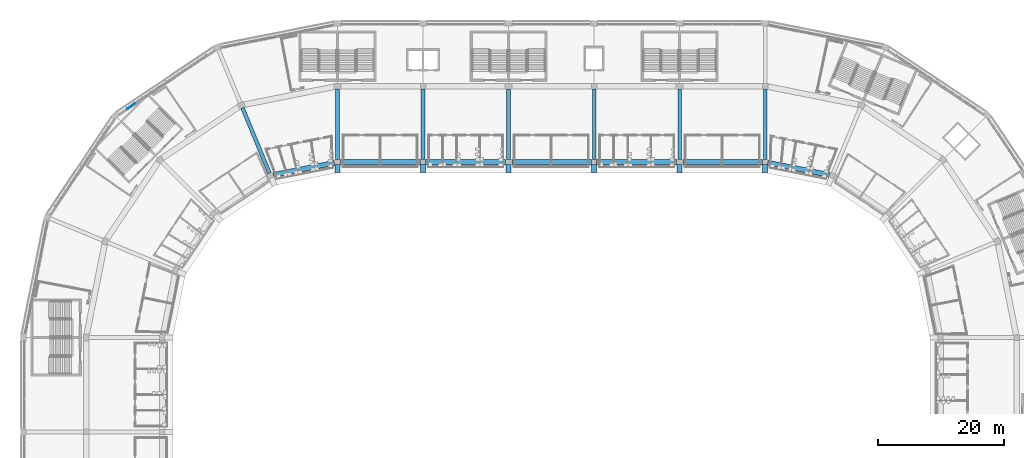
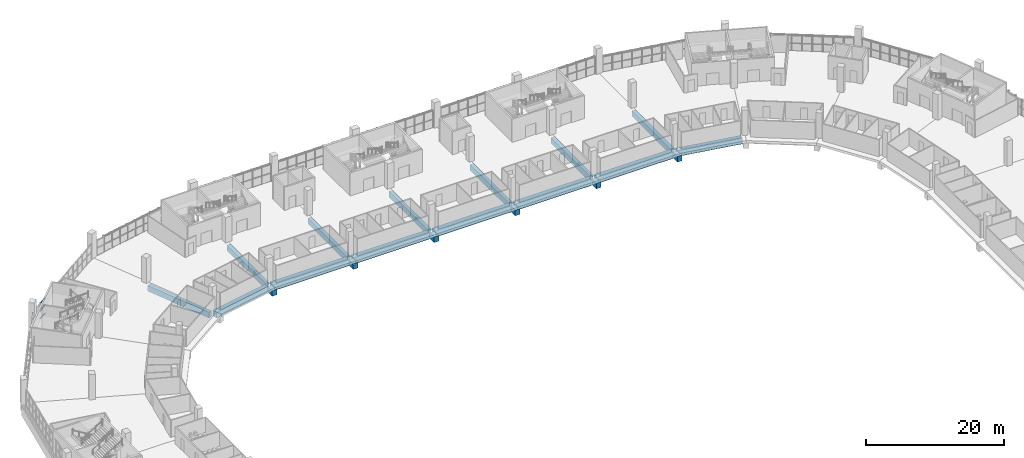
# One storey, part 41 of 199: 20 beams, 3 members, 1 element without a shape of its own.
"""IFC4 building model written with IfcOpenShell, lengths in metres."""

from ifc_helpers import new_model, si_unit, direction, frame, origin, origin_2d, place, context, subcontext, project, spatial, rectangle, extrude, material, material_profile, profile_set, type_object, element, aggregate, save


model = new_model("IFC4")

# Units and contexts
model_context = context("Model", 3, precision=1e-05, world=origin(), true_north=direction((0.0, 1.0)))
body_context = subcontext(model_context, "Body", "Model", "MODEL_VIEW")
ifc_project = project(units=[si_unit("LENGTHUNIT", "METRE"), si_unit("AREAUNIT", "SQUARE_METRE"), si_unit("VOLUMEUNIT", "CUBIC_METRE"), si_unit("PLANEANGLEUNIT", "RADIAN"), si_unit("MASSUNIT", "GRAM", prefix="KILO")], contexts=[model_context])

# Site, building, storey
site_placement = place(None, origin())
site = spatial("IfcSite", under=ifc_project, at=site_placement, CompositionType="ELEMENT")
building_placement = place(site_placement, origin())
building = spatial("IfcBuilding", under=site, at=building_placement, Name="Ogive Plaza Stadium", CompositionType="ELEMENT")
storey_placement = place(building_placement, frame((0.0, 0.0, 4.5)))
storey = spatial("IfcBuildingStorey", under=building, at=storey_placement, Name="L01", CompositionType="ELEMENT", Elevation=4.5)

# Curtain wall, members
ifc_material_1 = material(Name="Bronze-anodised aluminium with laminated glass", Category="aluminium")
curtain_wall_type = type_object("IfcCurtainWallType", Name="Lancet curtain wall", PredefinedType="NOTDEFINED", material=ifc_material_1)
curtain_wall_placement = place(storey_placement, origin())
curtain_wall = element("IfcCurtainWall", 1, at=curtain_wall_placement, inside=storey, type_object=curtain_wall_type, Name="CURTAIN WALL B30 L01", PredefinedType="NOTDEFINED")
ifc_material_2 = material(Name="Bronze-anodised aluminium", Category="aluminium")
ifc_material_profile_1 = material_profile(ifc_material_2, rectangle(XDim=0.1201171875, YDim=0.050048828125, at=origin_2d()), Name="AL 120x50")
ifc_profile_set_1 = profile_set([ifc_material_profile_1], Name="Bronze-anodised aluminium")
member_type = type_object("IfcMemberType", Name="Curtain wall transom 50x120", PredefinedType="USERDEFINED", material=ifc_profile_set_1)
member_1_placement = place(storey_placement, frame((-67.441650390625, 88.893310546875, 0.02490234375), z_axis=(0.831411982446, 0.555656472512, 0.0), x_axis=(-0.555656472512, 0.831411982446, 0.0)))
member_1 = element("IfcMember", 2, at=member_1_placement, type_object=member_type, Name="CW-B30-L01 transom 2.1", ObjectType="TRANSOM", PredefinedType="USERDEFINED", context=body_context, shape_type="SweptSolid", body=[
    extrude(rectangle(XDim=0.1201171875, YDim=0.050048828125, at=origin_2d()), origin(), (0.0, 0.0, 1.0), 1.472412109375),
])
member_2_placement = place(storey_placement, frame((-67.441650390625, 88.893310546875, 1.39501953125), z_axis=(0.831411982446, 0.555656472512, 0.0), x_axis=(-0.555656472512, 0.831411982446, 0.0)))
member_2 = element("IfcMember", 3, at=member_2_placement, type_object=member_type, Name="CW-B30-L01 transom 2.2", ObjectType="TRANSOM", PredefinedType="USERDEFINED", context=body_context, shape_type="SweptSolid", body=[
    extrude(rectangle(XDim=0.1201171875, YDim=0.050048828125, at=origin_2d()), origin(), (0.0, 0.0, 1.0), 1.472412109375),
])
member_3_placement = place(storey_placement, frame((-67.441650390625, 88.893310546875, 2.764892578125), z_axis=(0.831411982446, 0.555656472512, 0.0), x_axis=(-0.555656472512, 0.831411982446, 0.0)))
member_3 = element("IfcMember", 4, at=member_3_placement, type_object=member_type, Name="CW-B30-L01 transom 2.3", ObjectType="TRANSOM", PredefinedType="USERDEFINED", context=body_context, shape_type="SweptSolid", body=[
    extrude(rectangle(XDim=0.1201171875, YDim=0.050048828125, at=origin_2d()), origin(), (0.0, 0.0, 1.0), 1.472412109375),
])
aggregate(curtain_wall, [member_1, member_2, member_3])

# Beams
ifc_material_3 = material(Name="Concrete C40/50", Category="concrete")
ifc_material_profile_2 = material_profile(ifc_material_3, rectangle(XDim=0.60009765625, YDim=1.0, at=origin_2d()), Name="RC 600x1000")
ifc_profile_set_2 = profile_set([ifc_material_profile_2], Name="Concrete C40/50")
beam_type_1 = type_object("IfcBeamType", Name="RC radial beam 600x1000", PredefinedType="BEAM", material=ifc_profile_set_2)
beam_1_placement = place(storey_placement, frame((-44.829833984375, 78.645751953125, -0.909912109375), z_axis=(-0.382677616283, 0.92388194159, 0.0), x_axis=(-0.92388194159, -0.382677616283, 0.0)))
element("IfcBeam", 5, at=beam_1_placement, inside=storey, type_object=beam_type_1, Name="Radial beam L01 R31 F3F4", PredefinedType="BEAM", context=body_context, shape_type="SweptSolid", body=[
    extrude(rectangle(XDim=0.60009765625, YDim=1.0, at=origin_2d()), origin(), (0.0, 0.0, 1.0), 11.250244140625),
])
for number, where, z_axis, x_axis, name in (
    (6, (-34.0, 80.800048828125, -0.909912109375), (0.0, 1.0, 0.0), (-1.0, 0.0, 0.0), "Radial beam L01 R32 F3F4"),
    (7, (-20.39990234375, 80.800048828125, -0.909912109375), (0.0, 1.0, 0.0), (-1.0, 0.0, 0.0), "Radial beam L01 R33 F3F4"),
    (8, (-6.800048828125, 80.800048828125, -0.909912109375), (0.0, 1.0, 0.0), (-1.0, 0.0, 0.0), "Radial beam L01 R34 F3F4"),
    (9, (6.800048828125, 80.800048828125, -0.909912109375), (0.0, 1.0, 0.0), (-1.0, 0.0, 0.0), "Radial beam L01 R35 F3F4"),
    (10, (20.39990234375, 80.800048828125, -0.909912109375), (0.0, 1.0, 0.0), (-1.0, 0.0, 0.0), "Radial beam L01 R36 F3F4"),
    (11, (34.0, 80.800048828125, -0.909912109375), (0.0, 1.0, 0.0), (-1.0, 0.0, 0.0), "Radial beam L01 R37 F3F4"),
):
    element("IfcBeam", number, at=place(storey_placement, frame(where, z_axis=z_axis, x_axis=x_axis)), inside=storey, type_object=beam_type_1, Name=name, PredefinedType="BEAM", context=body_context, shape_type="SweptSolid", body=[
        extrude(rectangle(XDim=0.60009765625, YDim=1.0, at=origin_2d()), origin(), (0.0, 0.0, 1.0), 11.25),
    ])
ifc_material_4 = material(Name="Concrete C40/50", Category="concrete")
ifc_material_profile_3 = material_profile(ifc_material_4, rectangle(XDim=0.800048828125, YDim=1.0, at=origin_2d()), Name="RC 800x1000")
ifc_profile_set_3 = profile_set([ifc_material_profile_3], Name="Concrete C40/50")
beam_type_2 = type_object("IfcBeamType", Name="RC radial beam 800x1000", PredefinedType="BEAM", material=ifc_profile_set_3)
for number, where, z_axis, x_axis, name in (
    (12, (-34.0, 78.699951171875, -0.909912109375), (0.0, 1.0, 0.0), (-1.0, 0.0, 0.0), "Raker tail beam LT R32"),
    (13, (-20.39990234375, 78.699951171875, -0.909912109375), (0.0, 1.0, 0.0), (-1.0, 0.0, 0.0), "Raker tail beam LT R33"),
    (14, (-6.800048828125, 78.699951171875, -0.909912109375), (0.0, 1.0, 0.0), (-1.0, 0.0, 0.0), "Raker tail beam LT R34"),
    (15, (6.800048828125, 78.699951171875, -0.909912109375), (0.0, 1.0, 0.0), (-1.0, 0.0, 0.0), "Raker tail beam LT R35"),
    (16, (20.39990234375, 78.699951171875, -0.909912109375), (0.0, 1.0, 0.0), (-1.0, 0.0, 0.0), "Raker tail beam LT R36"),
    (17, (34.0, 78.699951171875, -0.909912109375), (0.0, 1.0, 0.0), (-1.0, 0.0, 0.0), "Raker tail beam LT R37"),
):
    element("IfcBeam", number, at=place(storey_placement, frame(where, z_axis=z_axis, x_axis=x_axis)), inside=storey, type_object=beam_type_2, Name=name, PredefinedType="BEAM", context=body_context, shape_type="SweptSolid", body=[
        extrude(rectangle(XDim=0.800048828125, YDim=1.0, at=origin_2d()), origin(), (0.0, 0.0, 1.0), 1.300048828125),
    ])
ifc_material_5 = material(Name="Concrete C40/50", Category="concrete")
ifc_material_profile_4 = material_profile(ifc_material_5, rectangle(XDim=0.800048828125, YDim=1.0, at=origin_2d()), Name="RC 800x1000")
ifc_profile_set_4 = profile_set([ifc_material_profile_4], Name="Concrete C40/50")
beam_type_3 = type_object("IfcBeamType", Name="RC ring beam 800x1000", PredefinedType="BEAM", material=ifc_profile_set_4)
beam_2_placement = place(storey_placement, frame((-44.226806640625, 78.36572265625, -0.909912109375), z_axis=(0.980784656884, 0.195093456635, 0.0), x_axis=(-0.195093456635, 0.980784656884, 0.0)))
element("IfcBeam", 18, at=beam_2_placement, inside=storey, type_object=beam_type_3, Name="Ring beam F3 L01 B31", PredefinedType="BEAM", context=body_context, shape_type="SweptSolid", body=[
    extrude(rectangle(XDim=0.800048828125, YDim=1.0, at=origin_2d()), origin(), (0.0, 0.0, 1.0), 9.91748046875),
])
beam_3_placement = place(storey_placement, frame((34.39990234375, 80.320556640625, -0.909912109375), z_axis=(0.980782584064, -0.195103876937, 0.0), x_axis=(0.195103876937, 0.980782584064, 0.0)))
element("IfcBeam", 19, at=beam_3_placement, inside=storey, type_object=beam_type_3, Name="Ring beam F3 L01 B37", PredefinedType="BEAM", context=body_context, shape_type="SweptSolid", body=[
    extrude(rectangle(XDim=0.800048828125, YDim=1.0, at=origin_2d()), origin(), (0.0, 0.0, 1.0), 10.01953125),
])
ifc_material_6 = material(Name="Concrete C40/50", Category="concrete")
ifc_material_profile_5 = material_profile(ifc_material_6, rectangle(XDim=0.89990234375, YDim=1.10009765625, at=origin_2d()), Name="RC 900x1100")
ifc_profile_set_5 = profile_set([ifc_material_profile_5], Name="Concrete C40/50")
beam_type_4 = type_object("IfcBeamType", Name="RC ring beam 900x1100", PredefinedType="BEAM", material=ifc_profile_set_5)
for number, where, z_axis, x_axis, name in (
    (20, (-33.5, 80.39990234375, -0.9599609375), (1.0, 0.0, 0.0), (0.0, 1.0, 0.0), "Ring beam F3 L01 B32"),
    (21, (-20.0, 80.39990234375, -0.9599609375), (1.0, 0.0, 0.0), (0.0, 1.0, 0.0), "Ring beam F3 L01 B33"),
    (22, (-6.300048828125, 80.39990234375, -0.9599609375), (1.0, 0.0, 0.0), (0.0, 1.0, 0.0), "Ring beam F3 L01 B34"),
    (23, (7.199951171875, 80.39990234375, -0.9599609375), (1.0, 0.0, 0.0), (0.0, 1.0, 0.0), "Ring beam F3 L01 B35"),
):
    element("IfcBeam", number, at=place(storey_placement, frame(where, z_axis=z_axis, x_axis=x_axis)), inside=storey, type_object=beam_type_4, Name=name, PredefinedType="BEAM", context=body_context, shape_type="SweptSolid", body=[
        extrude(rectangle(XDim=0.89990234375, YDim=1.10009765625, at=origin_2d()), origin(), (0.0, 0.0, 1.0), 12.699951171875),
    ])
beam_4_placement = place(storey_placement, frame((20.89990234375, 80.39990234375, -0.9599609375), z_axis=(1.0, 0.0, 0.0), x_axis=(0.0, 1.0, 0.0)))
element("IfcBeam", 24, at=beam_4_placement, inside=storey, type_object=beam_type_4, Name="Ring beam F3 L01 B36", PredefinedType="BEAM", context=body_context, shape_type="SweptSolid", body=[
    extrude(rectangle(XDim=0.89990234375, YDim=1.10009765625, at=origin_2d()), origin(), (0.0, 0.0, 1.0), 12.7001953125),
])

save(model, "model.ifc")
